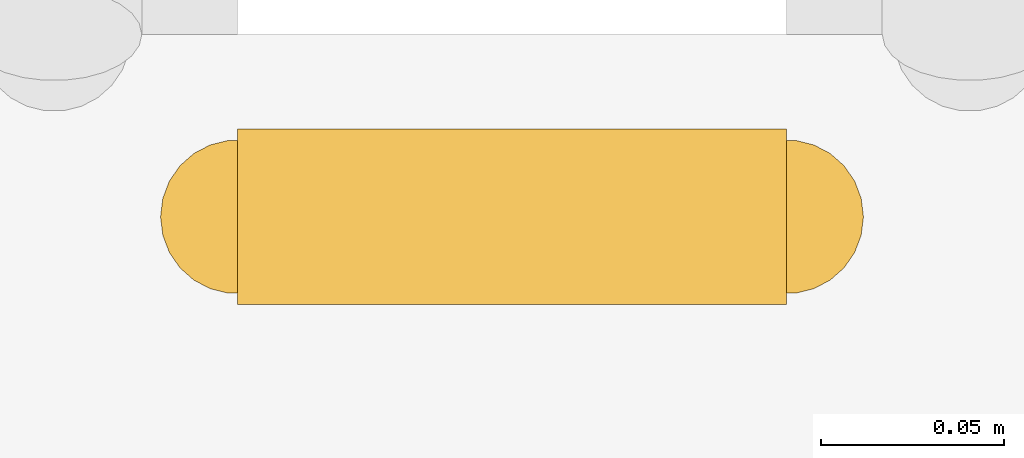
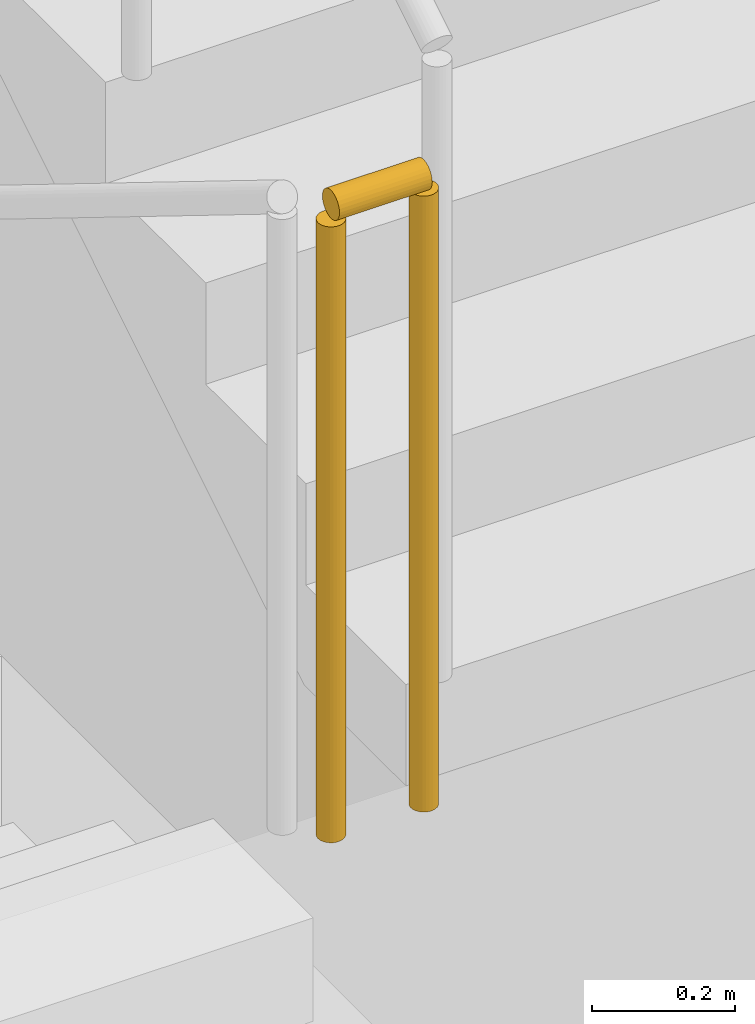
# One storey, part 17 of 21: 1 railing.
"""IFC4 building model written with IfcOpenShell, lengths in metres."""

import ifcopenshell
import ifcopenshell.guid

model = None  # the IFC model being written
_history = None  # IfcOwnerHistory: only IFC2X3 demands one
_inside = {}  # id of a spatial element -> (the spatial element, [elements in it])
_under = {}  # id of a project, library or spatial element -> (it, [spatial elements below it])
_declared = {}  # id of a project -> (the project, [libraries it declares])
_typed = {}  # id of a type object -> (the type object, [elements of that type])
_made_of = {}  # id of a material, layer set ... -> (it, [elements and type objects made of it])


def new_model(schema):
    """Start an empty IFC model of exactly this schema.

    Asked for "IFC4X3", IfcOpenShell would pick the latest addendum, in which some entities
    have other attributes; the version numbers below select the first issue.
    IFC2X3 requires an IfcOwnerHistory on every rooted entity: one is made here for all.
    """
    global model, _history
    if schema == "IFC4X3":
        model = ifcopenshell.file(schema_version=(4, 3, 0, 0))
    else:
        model = ifcopenshell.file(schema=schema)
    _inside.clear()
    _under.clear()
    _declared.clear()
    _typed.clear()
    _made_of.clear()
    _history = None
    if model.schema == "IFC2X3":
        org = make("IfcOrganization", Name="unknown")
        user = make(
            "IfcPersonAndOrganization",
            ThePerson=make("IfcPerson", FamilyName="unknown"),
            TheOrganization=org,
        )
        app = make(
            "IfcApplication",
            ApplicationDeveloper=org,
            Version="unknown",
            ApplicationFullName="unknown",
            ApplicationIdentifier="unknown",
        )
        _history = make(
            "IfcOwnerHistory",
            OwningUser=user,
            OwningApplication=app,
            ChangeAction="ADDED",
            CreationDate=0,
        )
    return model


def make(cls, **values):
    """One entity of the class cls with the attributes given. An attribute that is None is left unset."""
    return model.create_entity(
        cls, **{name: value for name, value in values.items() if value is not None}
    )


def rooted(cls, **values):
    """An entity with a GlobalId (a new one), such as an element, a storey or a relation."""
    return make(cls, GlobalId=ifcopenshell.guid.new(), OwnerHistory=_history, **values)


def si_unit(unit_type, name, prefix=None):
    """IfcSIUnit, for example si_unit("LENGTHUNIT", "METRE", prefix="MILLI")."""
    return make("IfcSIUnit", UnitType=unit_type, Prefix=prefix, Name=name)


def assignment(units):
    """IfcUnitAssignment: the units of a project."""
    return None if units is None else make("IfcUnitAssignment", Units=units)


def point(xyz):
    """IfcCartesianPoint."""
    return None if xyz is None else make("IfcCartesianPoint", Coordinates=xyz)


def direction(xyz):
    """IfcDirection."""
    return None if xyz is None else make("IfcDirection", DirectionRatios=xyz)


def frame(location, z_axis=None, x_axis=None):
    """IfcAxis2Placement3D, a coordinate frame: its origin and axes. An axis left out is left unset."""
    return make(
        "IfcAxis2Placement3D",
        Location=point(location),
        Axis=direction(z_axis),
        RefDirection=direction(x_axis),
    )


def frame_2d(location, x_axis=None):
    """IfcAxis2Placement2D, a coordinate frame in the plane: its origin and x axis."""
    return make(
        "IfcAxis2Placement2D", Location=point(location), RefDirection=direction(x_axis)
    )


def origin():
    """The frame at (0, 0, 0) with its axes left unset."""
    return frame((0.0, 0.0, 0.0))


def origin_2d():
    """The frame at (0, 0) in the plane with its x axis left unset."""
    return frame_2d((0.0, 0.0))


def place(relative_to, where):
    """IfcLocalPlacement: puts the frame where relative to a parent placement (None: the world)."""
    return make(
        "IfcLocalPlacement", PlacementRelTo=relative_to, RelativePlacement=where
    )


def context(
    kind, dimensions, precision=None, world=None, true_north=None, identifier=None
):
    """IfcGeometricRepresentationContext, for example the 3D "Model" context."""
    return make(
        "IfcGeometricRepresentationContext",
        ContextIdentifier=identifier,
        ContextType=kind,
        CoordinateSpaceDimension=dimensions,
        Precision=precision,
        WorldCoordinateSystem=world,
        TrueNorth=true_north,
    )


def subcontext(parent, identifier, kind, view, scale=None):
    """IfcGeometricRepresentationSubContext, for example "Body" below "Model"."""
    return make(
        "IfcGeometricRepresentationSubContext",
        ContextIdentifier=identifier,
        ContextType=kind,
        ParentContext=parent,
        TargetScale=scale,
        TargetView=view,
    )


def project(units=None, contexts=None):
    """IfcProject with its units and contexts."""
    return rooted(
        "IfcProject",
        Name="project",
        RepresentationContexts=contexts,
        UnitsInContext=assignment(units),
    )


def spatial(cls, under=None, at=None, **own):
    """A site, building, storey or space (cls), placed at a placement, below another one or the project."""
    s = rooted(cls, ObjectPlacement=at, **own)
    if under is not None:
        _under.setdefault(under.id(), (under, []))[1].append(s)
    return s


def profile(cls, at=None, kind="AREA", **sizes):
    """A parametric profile (cls). Its sizes go by their IFC names, for example OverallWidth=200.0."""
    return make(cls, ProfileType=kind, Position=at, **sizes)


def circle(**sizes):
    """IfcCircleProfileDef."""
    return profile("IfcCircleProfileDef", **sizes)


def extrude(swept, where, along, depth):
    """IfcExtrudedAreaSolid: the profile swept, set in the frame where, extruded along a direction by depth."""
    return make(
        "IfcExtrudedAreaSolid",
        SweptArea=swept,
        Position=where,
        ExtrudedDirection=direction(along),
        Depth=depth,
    )


def shape(context_of_items, identifier, shape_type, items):
    """IfcShapeRepresentation: the items that make up one representation, for example the "Body"."""
    return make(
        "IfcShapeRepresentation",
        ContextOfItems=context_of_items,
        RepresentationIdentifier=identifier,
        RepresentationType=shape_type,
        Items=items,
    )


def material(Name=None, Category=None):
    """IfcMaterial."""
    return make("IfcMaterial", Name=Name, Category=Category)


def made_of(thing, what):
    """Note that an element or type object is made of a material, layer set ...; save() writes the relation."""
    if what is not None:
        _made_of.setdefault(what.id(), (what, []))[1].append(thing)
    return thing


def type_object(cls, material=None, **own):
    """A type object (cls), such as IfcWallType, which elements share."""
    return made_of(rooted(cls, **own), material)


def element(
    cls,
    number,
    at=None,
    inside=None,
    cuts=None,
    type_object=None,
    material=None,
    context=None,
    identifier="Body",
    shape_type=None,
    held_by="IfcProductDefinitionShape",
    body=None,
    shapes=None,
    **own,
):
    """One element of the class cls, such as IfcWall. Its Tag is "e" and its number.

    at: its placement. inside: the storey or other place that contains it. cuts: it is an
    opening in that element (IfcRelVoidsElement). A single representation is given by context,
    identifier, shape_type and body (its items); several are given by shapes. held_by: the class
    of the entity that holds the representations. save() writes the other relations.
    """
    e = rooted(cls, Tag="e%d" % number, ObjectPlacement=at, **own)
    if body is not None:
        shapes = [shape(context, identifier, shape_type, body)]
    if shapes is not None:
        e.Representation = make(held_by, Representations=shapes)
    if inside is not None:
        _inside.setdefault(inside.id(), (inside, []))[1].append(e)
    if cuts is not None:
        rooted(
            "IfcRelVoidsElement", RelatingBuildingElement=cuts, RelatedOpeningElement=e
        )
    if type_object is not None:
        _typed.setdefault(type_object.id(), (type_object, []))[1].append(e)
    return made_of(e, material)


def aggregate(whole, parts):
    """IfcRelAggregates: a whole, such as a stair, and the parts it consists of."""
    return rooted("IfcRelAggregates", RelatingObject=whole, RelatedObjects=parts)


def save(model, path):
    """Write the relations noted so far, then the file.

    IfcRelAggregates (storeys below a building ...), IfcRelContainedInSpatialStructure (elements
    in a storey), IfcRelDefinesByType, IfcRelAssociatesMaterial and IfcRelDeclares: one each for
    every whole, place, type object, material and project.
    """
    for whole, parts in _under.values():
        aggregate(whole, parts)
    for where, things in _inside.values():
        rooted(
            "IfcRelContainedInSpatialStructure",
            RelatedElements=things,
            RelatingStructure=where,
        )
    for kind, things in _typed.values():
        rooted("IfcRelDefinesByType", RelatedObjects=things, RelatingType=kind)
    for what, things in _made_of.values():
        rooted("IfcRelAssociatesMaterial", RelatedObjects=things, RelatingMaterial=what)
    for by, libraries in _declared.values():
        rooted("IfcRelDeclares", RelatingContext=by, RelatedDefinitions=libraries)
    model.write(path)


model = new_model("IFC4")

# Units and contexts
model_context = context("Model", 3, precision=1e-05, world=origin(), true_north=direction((0.0, 1.0)))
body_context = subcontext(model_context, "Body", "Model", "MODEL_VIEW")
ifc_project = project(units=[si_unit("LENGTHUNIT", "METRE"), si_unit("AREAUNIT", "SQUARE_METRE"), si_unit("VOLUMEUNIT", "CUBIC_METRE"), si_unit("PLANEANGLEUNIT", "RADIAN"), si_unit("MASSUNIT", "GRAM", prefix="KILO")], contexts=[model_context])

# Site, building, storey
site_placement = place(None, origin())
site = spatial("IfcSite", under=ifc_project, at=site_placement, CompositionType="ELEMENT")
building_placement = place(site_placement, origin())
building = spatial("IfcBuilding", under=site, at=building_placement, Name="Tskaro Facet Tower", CompositionType="ELEMENT")
storey_placement = place(building_placement, frame((0.0, 0.0, 167.699951171875)))
storey = spatial("IfcBuildingStorey", under=building, at=storey_placement, Name="L41", CompositionType="ELEMENT", Elevation=167.699951171875)

# Railing
ifc_material = material(Name="Stainless steel", Category="steel")
railing_type = type_object("IfcRailingType", Name="RL-GUARD-1100", PredefinedType="GUARDRAIL", material=ifc_material)
railing_placement = place(storey_placement, frame((-7.574951171875, -9.784912109375, 2.25)))
element("IfcRailing", 1, at=railing_placement, inside=storey, type_object=railing_type, Name="L41 ST-1 stair guard 2", PredefinedType="GUARDRAIL", context=body_context, shape_type="SweptSolid", body=[
    extrude(circle(Radius=0.02392578125, at=origin_2d()), frame((0.0, 0.0, 1.076171875), z_axis=(1.0, 0.0, 0.0), x_axis=(0.0, 1.0, 0.0)), (0.0, 0.0, 1.0), 0.14990234375),
    extrude(circle(Radius=0.02099609375, at=origin_2d()), origin(), (0.0, 0.0, 1.0), 1.052001953125),
    extrude(circle(Radius=0.02099609375, at=origin_2d()), frame((0.14990234375, 0.0, 0.0)), (0.0, 0.0, 1.0), 1.052001953125),
])

save(model, "model.ifc")
